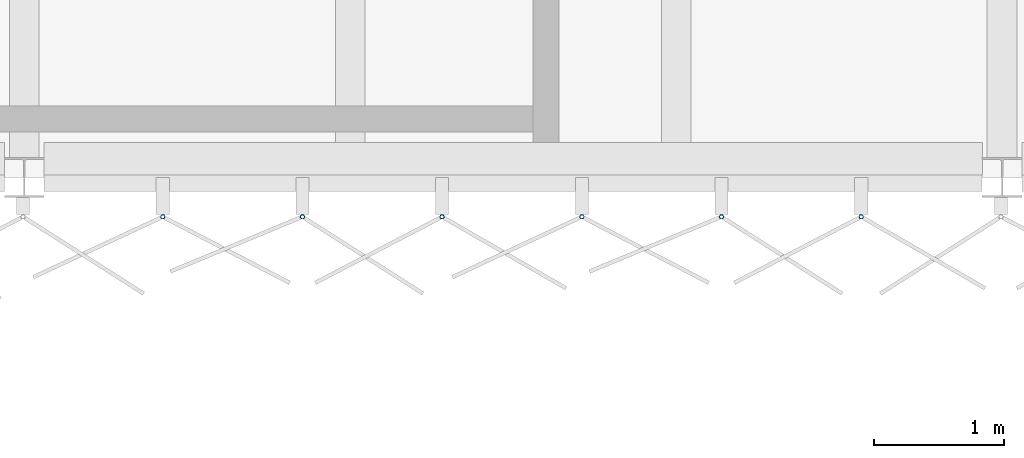
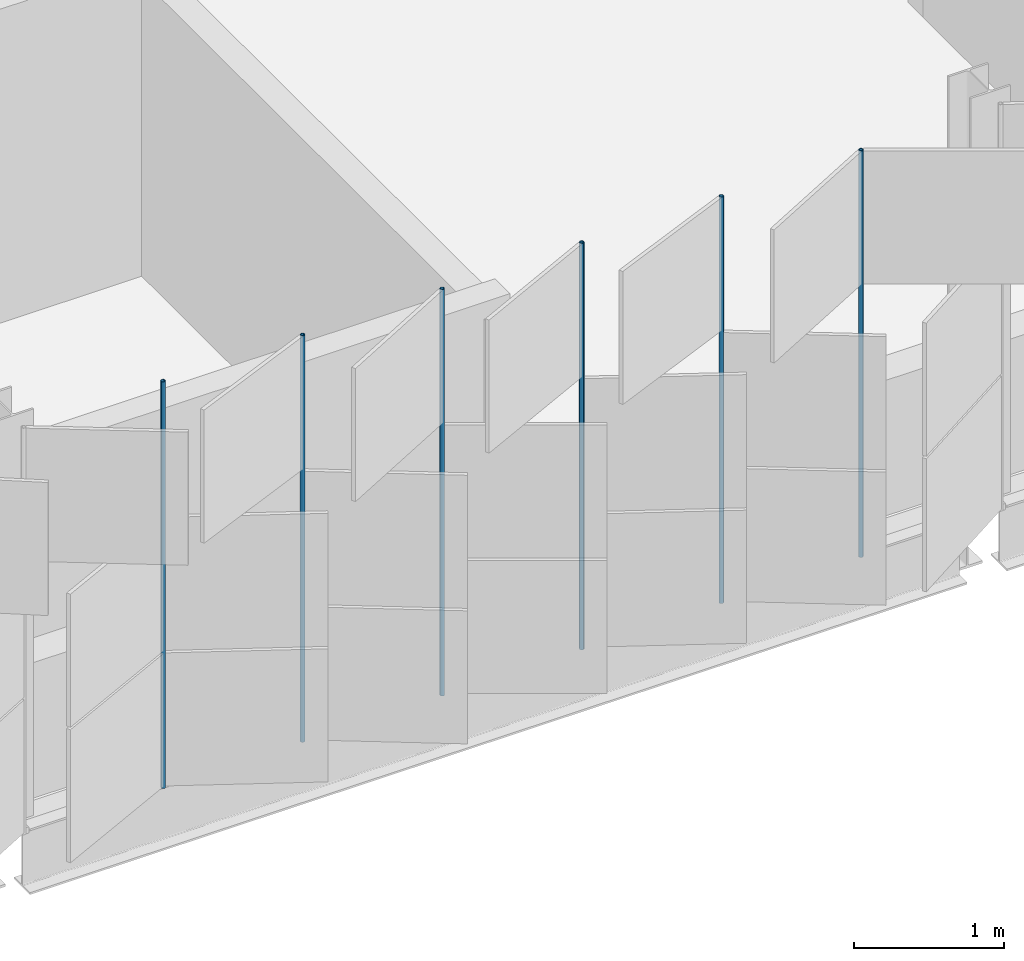
# One storey, part 79 of 198: 6 discrete accessories.
"""IFC4 building model written with IfcOpenShell, lengths in metres."""

from ifc_helpers import new_model, si_unit, direction, frame, origin, origin_2d, place, context, subcontext, project, spatial, hollow_circle, extrude, material, material_profile, profile_set, type_object, element, save


model = new_model("IFC4")

# Units and contexts
model_context = context("Model", 3, precision=1e-05, world=origin(), true_north=direction((0.0, 1.0)))
body_context = subcontext(model_context, "Body", "Model", "MODEL_VIEW")
ifc_project = project(units=[si_unit("LENGTHUNIT", "METRE"), si_unit("AREAUNIT", "SQUARE_METRE"), si_unit("VOLUMEUNIT", "CUBIC_METRE"), si_unit("PLANEANGLEUNIT", "RADIAN"), si_unit("MASSUNIT", "GRAM", prefix="KILO")], contexts=[model_context])

# Site, building, storey
site_placement = place(None, origin())
site = spatial("IfcSite", under=ifc_project, at=site_placement, CompositionType="ELEMENT")
building_placement = place(site_placement, origin())
building = spatial("IfcBuilding", under=site, at=building_placement, Name="Parallax Yard Mobility Hub", CompositionType="ELEMENT")
storey_placement = place(building_placement, frame((0.0, 0.0, 6.60009765625)))
storey = spatial("IfcBuildingStorey", under=building, at=storey_placement, Name="L02", CompositionType="ELEMENT", Elevation=6.60009765625)

# Discrete accessories
ifc_material = material(Name="Steel ASTM A500 Gr C, hot-dip galvanised", Category="steel")
ifc_material_profile = material_profile(ifc_material, hollow_circle(Radius=0.016845703125, WallThickness=0.003173828125, at=origin_2d()), Name="CHS 33.7x3.2")
ifc_profile_set = profile_set([ifc_material_profile], Name="Steel ASTM A500 Gr C, hot-dip galvanised")
discrete_accessory_type = type_object("IfcDiscreteAccessoryType", Name="Hinge post CHS 33.7x3.2", PredefinedType="BRACKET", material=ifc_profile_set)
for number, where, z_axis, x_axis, name in (
    (1, (106.06201171875, 112.199951171875, 0.0), (0.0, 0.0, 1.0), (1.0, 0.0, 0.0), "Hinge post bay 10.2 level L02"),
    (2, (107.13330078125, 112.199951171875, 0.0), (0.0, 0.0, 1.0), (1.0, 0.0, 0.0), "Hinge post bay 10.3 level L02"),
    (3, (108.204833984375, 112.199951171875, 0.0), (0.0, 0.0, 1.0), (1.0, 0.0, 0.0), "Hinge post bay 10.4 level L02"),
    (4, (109.2763671875, 112.199951171875, 0.0), (0.0, 0.0, 1.0), (1.0, 0.0, 0.0), "Hinge post bay 10.5 level L02"),
    (5, (110.347900390625, 112.199951171875, 0.0), (0.0, 0.0, 1.0), (1.0, 0.0, 0.0), "Hinge post bay 10.6 level L02"),
    (6, (111.41943359375, 112.199951171875, 0.0), (0.0, 0.0, 1.0), (1.0, 0.0, 0.0), "Hinge post bay 10.7 level L02"),
):
    element("IfcDiscreteAccessory", number, at=place(storey_placement, frame(where, z_axis=z_axis, x_axis=x_axis)), inside=storey, type_object=discrete_accessory_type, Name=name, PredefinedType="BRACKET", context=body_context, shape_type="SweptSolid", body=[
        extrude(hollow_circle(Radius=0.016845703125, WallThickness=0.003173828125, at=origin_2d()), origin(), (0.0, 0.0, 1.0), 3.2998046875),
    ])

save(model, "model.ifc")
